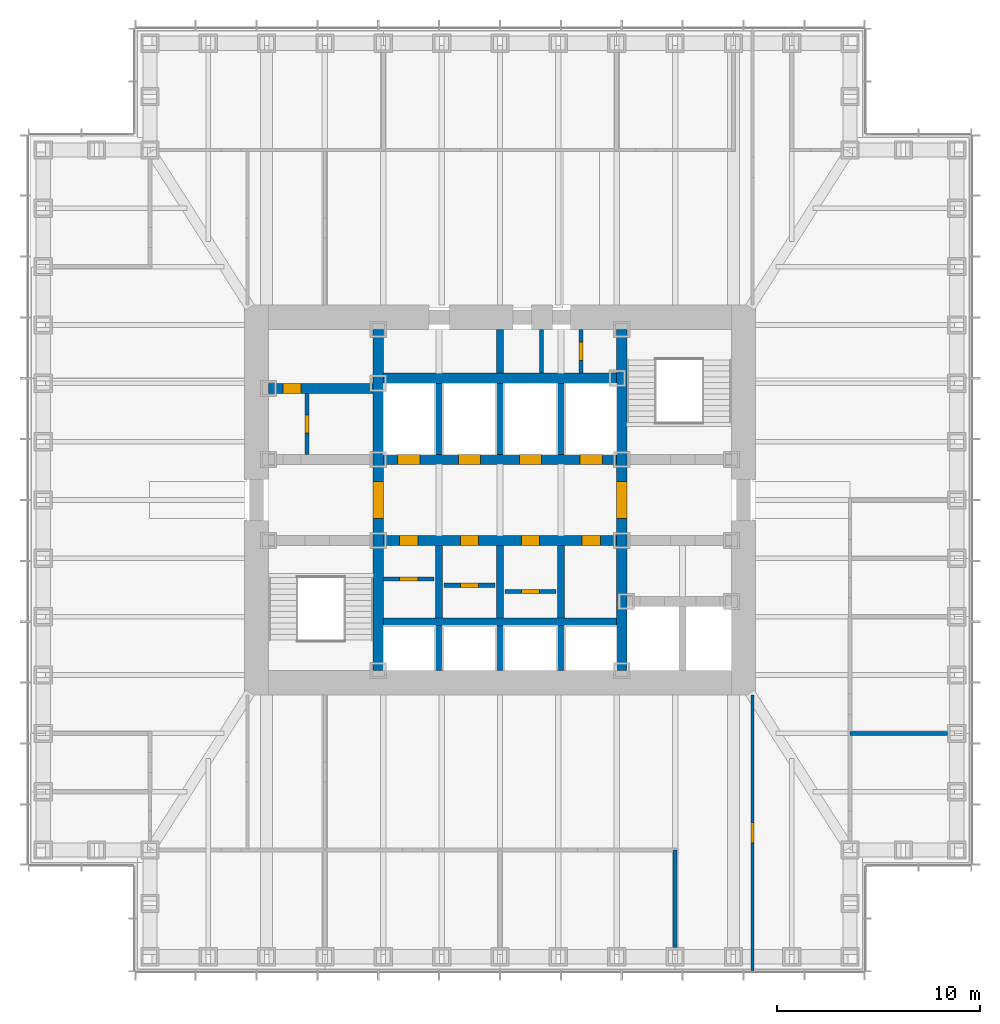
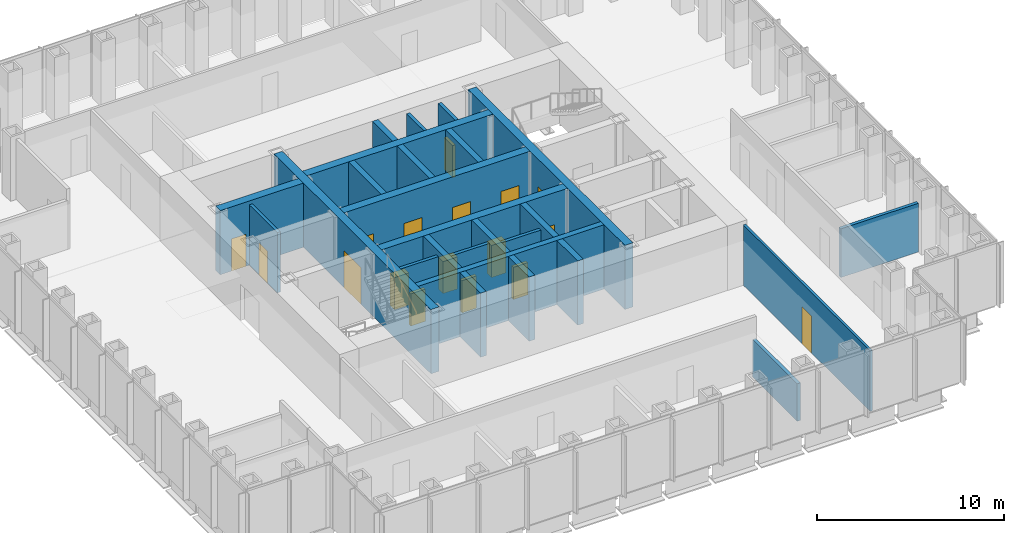
# One storey, part 9 of 17: 26 walls, 17 doors, 17 openings.
"""IFC4 building model written with IfcOpenShell, lengths in metres."""

from ifc_helpers import new_model, si_unit, direction, frame, frame_2d, origin, place, context, subcontext, project, spatial, rectangle, extrude, material, layer, layer_set, type_object, element, fill, save


model = new_model("IFC4")

# Units and contexts
model_context = context("Model", 3, precision=1e-05, world=origin(), true_north=direction((0.0, 1.0)))
body_context = subcontext(model_context, "Body", "Model", "MODEL_VIEW")
ifc_project = project(units=[si_unit("LENGTHUNIT", "METRE"), si_unit("AREAUNIT", "SQUARE_METRE"), si_unit("VOLUMEUNIT", "CUBIC_METRE"), si_unit("PLANEANGLEUNIT", "RADIAN"), si_unit("MASSUNIT", "GRAM", prefix="KILO")], contexts=[model_context])

# Site, building, storey
site_placement = place(None, origin())
site = spatial("IfcSite", under=ifc_project, at=site_placement, CompositionType="ELEMENT")
building_placement = place(site_placement, origin())
building = spatial("IfcBuilding", under=site, at=building_placement, Name="Daluyong Arena Tower", CompositionType="ELEMENT")
storey_placement = place(building_placement, frame((0.0, 0.0, 171.10009765625)))
storey = spatial("IfcBuildingStorey", under=building, at=storey_placement, Name="L38", CompositionType="ELEMENT", Elevation=171.10009765625)

# Wall, opening, door
ifc_material_1 = material(Name="Concrete fc' 45 MPa", Category="concrete")
ifc_layer_1 = layer(ifc_material_1, 0.5)
ifc_layer_set_1 = layer_set([ifc_layer_1], Name="Concrete fc' 45 MPa")
wall_type_1 = type_object("IfcWallType", Name="Core inner wall 500", PredefinedType="SHEAR", material=ifc_layer_set_1)
wall_1_placement = place(storey_placement, frame((50.0, 71.60009765625, 0.0), z_axis=(0.0, 0.0, 1.0), x_axis=(0.0, 1.0, 0.0)))
wall_1 = element("IfcWall", 1, at=wall_1_placement, inside=storey, type_object=wall_type_1, Name="core inner wall at L38", PredefinedType="SHEAR", context=body_context, shape_type="SweptSolid", body=[
    extrude(rectangle(XDim=16.7998046875, YDim=0.5, at=frame_2d((8.39990234375, 0.0))), origin(), (0.0, 0.0, 1.0), 4.199951171875),
])
opening_1_placement = place(wall_1_placement, frame((7.5, 0.0, 0.0)))
opening_1 = element("IfcOpeningElement", 2, at=opening_1_placement, cuts=wall_1, Name="Opening 38019", PredefinedType="OPENING", context=body_context, shape_type="SweptSolid", body=[
    extrude(rectangle(XDim=1.800048828125, YDim=2.39990234375, at=frame_2d((0.89990234375, 1.199951171875))), frame((0.0, 0.260009765625, 0.0), z_axis=(0.0, -1.0, 0.0), x_axis=(1.0, 0.0, 0.0)), (0.0, 0.0, 1.0), 0.52001953125),
])
ifc_material_2 = material(Name="Steel door, fire rated", Category="steel")
door_type_1 = type_object("IfcDoorType", Name="Lift lobby opening door 1800", OperationType="DOUBLE_DOOR_SINGLE_SWING", PredefinedType="DOOR", material=ifc_material_2)
door_1_placement = place(opening_1_placement, origin())
door_1 = element("IfcDoor", 3, at=door_1_placement, inside=storey, type_object=door_type_1, Name="lift lobby door west 38019", OperationType="DOUBLE_DOOR_SINGLE_SWING", OverallHeight=2.39990234375, OverallWidth=1.800048828125, PredefinedType="DOOR", context=body_context, shape_type="SweptSolid", body=[
    extrude(rectangle(XDim=1.800048828125, YDim=2.39990234375, at=frame_2d((0.89990234375, 1.199951171875))), frame((0.0, 0.249755859375, 0.0), z_axis=(0.0, -1.0, 0.0), x_axis=(1.0, 0.0, 0.0)), (0.0, 0.0, 1.0), 0.49951171875),
])
fill(opening_1, door_1)

wall_2_placement = place(storey_placement, frame((62.0, 71.60009765625, 0.0), z_axis=(0.0, 0.0, 1.0), x_axis=(0.0, 1.0, 0.0)))
wall_2 = element("IfcWall", 4, at=wall_2_placement, inside=storey, type_object=wall_type_1, Name="core inner wall at L38", PredefinedType="SHEAR", context=body_context, shape_type="SweptSolid", body=[
    extrude(rectangle(XDim=16.7998046875, YDim=0.5, at=frame_2d((8.39990234375, 0.0))), origin(), (0.0, 0.0, 1.0), 4.199951171875),
])
opening_2_placement = place(wall_2_placement, frame((7.5, 0.0, 0.0)))
opening_2 = element("IfcOpeningElement", 5, at=opening_2_placement, cuts=wall_2, Name="Opening 38020", PredefinedType="OPENING", context=body_context, shape_type="SweptSolid", body=[
    extrude(rectangle(XDim=1.800048828125, YDim=2.39990234375, at=frame_2d((0.89990234375, 1.199951171875))), frame((0.0, 0.260009765625, 0.0), z_axis=(0.0, -1.0, 0.0), x_axis=(1.0, 0.0, 0.0)), (0.0, 0.0, 1.0), 0.52001953125),
])
door_2_placement = place(opening_2_placement, origin())
door_2 = element("IfcDoor", 6, at=door_2_placement, inside=storey, type_object=door_type_1, Name="lift lobby door east 38020", OperationType="DOUBLE_DOOR_SINGLE_SWING", OverallHeight=2.39990234375, OverallWidth=1.800048828125, PredefinedType="DOOR", context=body_context, shape_type="SweptSolid", body=[
    extrude(rectangle(XDim=1.800048828125, YDim=2.39990234375, at=frame_2d((0.89990234375, 1.199951171875))), frame((0.0, 0.249755859375, 0.0), z_axis=(0.0, -1.0, 0.0), x_axis=(1.0, 0.0, 0.0)), (0.0, 0.0, 1.0), 0.49951171875),
])
fill(opening_2, door_2)

wall_3_placement = place(storey_placement, frame((44.60009765625, 85.5, 0.0), z_axis=(0.0, 0.0, 1.0), x_axis=(1.0, 0.0, 0.0)))
wall_3 = element("IfcWall", 7, at=wall_3_placement, inside=storey, type_object=wall_type_1, Name="core inner wall at L38", PredefinedType="SHEAR", context=body_context, shape_type="SweptSolid", body=[
    extrude(rectangle(XDim=5.14990234375, YDim=0.5, at=frame_2d((2.574951171875, 0.0))), origin(), (0.0, 0.0, 1.0), 4.199951171875),
])
opening_3_placement = place(wall_3_placement, frame((0.699951171875, 0.0, 0.0)))
opening_3 = element("IfcOpeningElement", 8, at=opening_3_placement, cuts=wall_3, Name="Opening 38003", PredefinedType="OPENING", context=body_context, shape_type="SweptSolid", body=[
    extrude(rectangle(XDim=0.89990234375, YDim=2.10009765625, at=frame_2d((0.449951171875, 1.050048828125))), frame((0.0, 0.260009765625, 0.0), z_axis=(0.0, -1.0, 0.0), x_axis=(1.0, 0.0, 0.0)), (0.0, 0.0, 1.0), 0.52001953125),
])
ifc_material_3 = material(Name="Timber door", Category="wood")
door_type_2 = type_object("IfcDoorType", Name="Toilet door 900", OperationType="SINGLE_SWING_RIGHT", PredefinedType="DOOR", material=ifc_material_3)
door_3_placement = place(opening_3_placement, origin())
door_3 = element("IfcDoor", 9, at=door_3_placement, inside=storey, type_object=door_type_2, Name="female toilet door 38003", OperationType="SINGLE_SWING_RIGHT", OverallHeight=2.10009765625, OverallWidth=0.89990234375, PredefinedType="DOOR", context=body_context, shape_type="SweptSolid", body=[
    extrude(rectangle(XDim=0.89990234375, YDim=2.10009765625, at=frame_2d((0.449951171875, 1.050048828125))), frame((0.0, 0.249755859375, 0.0), z_axis=(0.0, -1.0, 0.0), x_axis=(1.0, 0.0, 0.0)), (0.0, 0.0, 1.0), 0.49951171875),
])
fill(opening_3, door_3)

# Wall, openings, doors
wall_4_placement = place(storey_placement, frame((50.25, 78.0, 0.0), z_axis=(0.0, 0.0, 1.0), x_axis=(1.0, 0.0, 0.0)))
wall_4 = element("IfcWall", 10, at=wall_4_placement, inside=storey, type_object=wall_type_1, Name="core inner wall at L38", PredefinedType="SHEAR", context=body_context, shape_type="SweptSolid", body=[
    extrude(rectangle(XDim=11.5, YDim=0.5, at=frame_2d((5.75, 0.0))), origin(), (0.0, 0.0, 1.0), 4.199951171875),
])
opening_4_placement = place(wall_4_placement, frame((0.800048828125, 0.0, 0.0)))
opening_4 = element("IfcOpeningElement", 11, at=opening_4_placement, cuts=wall_4, Name="Opening 38008", PredefinedType="OPENING", context=body_context, shape_type="SweptSolid", body=[
    extrude(rectangle(XDim=0.89990234375, YDim=2.10009765625, at=frame_2d((0.449951171875, 1.050048828125))), frame((0.0, 0.260009765625, 0.0), z_axis=(0.0, -1.0, 0.0), x_axis=(1.0, 0.0, 0.0)), (0.0, 0.0, 1.0), 0.52001953125),
])
opening_5_placement = place(wall_4_placement, frame((3.800048828125, 0.0, 0.0)))
opening_5 = element("IfcOpeningElement", 12, at=opening_5_placement, cuts=wall_4, Name="Opening 38010", PredefinedType="OPENING", context=body_context, shape_type="SweptSolid", body=[
    extrude(rectangle(XDim=0.89990234375, YDim=2.10009765625, at=frame_2d((0.449951171875, 1.050048828125))), frame((0.0, 0.260009765625, 0.0), z_axis=(0.0, -1.0, 0.0), x_axis=(1.0, 0.0, 0.0)), (0.0, 0.0, 1.0), 0.52001953125),
])
opening_6_placement = place(wall_4_placement, frame((6.800048828125, 0.0, 0.0)))
opening_6 = element("IfcOpeningElement", 13, at=opening_6_placement, cuts=wall_4, Name="Opening 38012", PredefinedType="OPENING", context=body_context, shape_type="SweptSolid", body=[
    extrude(rectangle(XDim=0.89990234375, YDim=2.10009765625, at=frame_2d((0.449951171875, 1.050048828125))), frame((0.0, 0.260009765625, 0.0), z_axis=(0.0, -1.0, 0.0), x_axis=(1.0, 0.0, 0.0)), (0.0, 0.0, 1.0), 0.52001953125),
])
opening_7_placement = place(wall_4_placement, frame((9.800048828125, 0.0, 0.0)))
opening_7 = element("IfcOpeningElement", 14, at=opening_7_placement, cuts=wall_4, Name="Opening 38014", PredefinedType="OPENING", context=body_context, shape_type="SweptSolid", body=[
    extrude(rectangle(XDim=0.89990234375, YDim=2.10009765625, at=frame_2d((0.449951171875, 1.050048828125))), frame((0.0, 0.260009765625, 0.0), z_axis=(0.0, -1.0, 0.0), x_axis=(1.0, 0.0, 0.0)), (0.0, 0.0, 1.0), 0.52001953125),
])
ifc_material_4 = material(Name="Steel door, fire rated", Category="steel")
door_type_3 = type_object("IfcDoorType", Name="Core room door 900", OperationType="SINGLE_SWING_LEFT", PredefinedType="DOOR", material=ifc_material_4)
door_4_placement = place(opening_7_placement, origin())
door_4 = element("IfcDoor", 15, at=door_4_placement, inside=storey, type_object=door_type_3, Name="vending room door 38014", OperationType="SINGLE_SWING_LEFT", OverallHeight=2.10009765625, OverallWidth=0.89990234375, PredefinedType="DOOR", context=body_context, shape_type="SweptSolid", body=[
    extrude(rectangle(XDim=0.89990234375, YDim=2.10009765625, at=frame_2d((0.449951171875, 1.050048828125))), frame((0.0, 0.249755859375, 0.0), z_axis=(0.0, -1.0, 0.0), x_axis=(1.0, 0.0, 0.0)), (0.0, 0.0, 1.0), 0.49951171875),
])
fill(opening_7, door_4)
ifc_material_5 = material(Name="Steel door, fire rated", Category="steel")
door_type_4 = type_object("IfcDoorType", Name="Core store door 900", OperationType="SINGLE_SWING_LEFT", PredefinedType="DOOR", material=ifc_material_5)
door_5_placement = place(opening_4_placement, origin())
door_5 = element("IfcDoor", 16, at=door_5_placement, inside=storey, type_object=door_type_4, Name="furniture store door 38008", OperationType="SINGLE_SWING_LEFT", OverallHeight=2.10009765625, OverallWidth=0.89990234375, PredefinedType="DOOR", context=body_context, shape_type="SweptSolid", body=[
    extrude(rectangle(XDim=0.89990234375, YDim=2.10009765625, at=frame_2d((0.449951171875, 1.050048828125))), frame((0.0, 0.249755859375, 0.0), z_axis=(0.0, -1.0, 0.0), x_axis=(1.0, 0.0, 0.0)), (0.0, 0.0, 1.0), 0.49951171875),
])
fill(opening_4, door_5)
door_6_placement = place(opening_5_placement, origin())
door_6 = element("IfcDoor", 17, at=door_6_placement, inside=storey, type_object=door_type_4, Name="security store door 38010", OperationType="SINGLE_SWING_LEFT", OverallHeight=2.10009765625, OverallWidth=0.89990234375, PredefinedType="DOOR", context=body_context, shape_type="SweptSolid", body=[
    extrude(rectangle(XDim=0.89990234375, YDim=2.10009765625, at=frame_2d((0.449951171875, 1.050048828125))), frame((0.0, 0.249755859375, 0.0), z_axis=(0.0, -1.0, 0.0), x_axis=(1.0, 0.0, 0.0)), (0.0, 0.0, 1.0), 0.49951171875),
])
fill(opening_5, door_6)
door_7_placement = place(opening_6_placement, origin())
door_7 = element("IfcDoor", 18, at=door_7_placement, inside=storey, type_object=door_type_4, Name="cleaner's store door 38012", OperationType="SINGLE_SWING_LEFT", OverallHeight=2.10009765625, OverallWidth=0.89990234375, PredefinedType="DOOR", context=body_context, shape_type="SweptSolid", body=[
    extrude(rectangle(XDim=0.89990234375, YDim=2.10009765625, at=frame_2d((0.449951171875, 1.050048828125))), frame((0.0, 0.249755859375, 0.0), z_axis=(0.0, -1.0, 0.0), x_axis=(1.0, 0.0, 0.0)), (0.0, 0.0, 1.0), 0.49951171875),
])
fill(opening_6, door_7)

wall_5_placement = place(storey_placement, frame((50.25, 82.0, 0.0), z_axis=(0.0, 0.0, 1.0), x_axis=(1.0, 0.0, 0.0)))
wall_5 = element("IfcWall", 19, at=wall_5_placement, inside=storey, type_object=wall_type_1, Name="core inner wall at L38", PredefinedType="SHEAR", context=body_context, shape_type="SweptSolid", body=[
    extrude(rectangle(XDim=11.5, YDim=0.5, at=frame_2d((5.75, 0.0))), origin(), (0.0, 0.0, 1.0), 4.199951171875),
])
opening_8_placement = place(wall_5_placement, frame((0.699951171875, 0.0, 0.0)))
opening_8 = element("IfcOpeningElement", 20, at=opening_8_placement, cuts=wall_5, Name="Opening 38022", PredefinedType="OPENING", context=body_context, shape_type="SweptSolid", body=[
    extrude(rectangle(XDim=1.10009765625, YDim=2.199951171875, at=frame_2d((0.550048828125, 1.10009765625))), frame((0.0, 0.260009765625, 0.0), z_axis=(0.0, -1.0, 0.0), x_axis=(1.0, 0.0, 0.0)), (0.0, 0.0, 1.0), 0.52001953125),
])
opening_9_placement = place(wall_5_placement, frame((3.699951171875, 0.0, 0.0)))
opening_9 = element("IfcOpeningElement", 21, at=opening_9_placement, cuts=wall_5, Name="Opening 38023", PredefinedType="OPENING", context=body_context, shape_type="SweptSolid", body=[
    extrude(rectangle(XDim=1.10009765625, YDim=2.199951171875, at=frame_2d((0.550048828125, 1.10009765625))), frame((0.0, 0.260009765625, 0.0), z_axis=(0.0, -1.0, 0.0), x_axis=(1.0, 0.0, 0.0)), (0.0, 0.0, 1.0), 0.52001953125),
])
opening_10_placement = place(wall_5_placement, frame((6.699951171875, 0.0, 0.0)))
opening_10 = element("IfcOpeningElement", 22, at=opening_10_placement, cuts=wall_5, Name="Opening 38024", PredefinedType="OPENING", context=body_context, shape_type="SweptSolid", body=[
    extrude(rectangle(XDim=1.10009765625, YDim=2.199951171875, at=frame_2d((0.550048828125, 1.10009765625))), frame((0.0, 0.260009765625, 0.0), z_axis=(0.0, -1.0, 0.0), x_axis=(1.0, 0.0, 0.0)), (0.0, 0.0, 1.0), 0.52001953125),
])
opening_11_placement = place(wall_5_placement, frame((9.699951171875, 0.0, 0.0)))
opening_11 = element("IfcOpeningElement", 23, at=opening_11_placement, cuts=wall_5, Name="Opening 38025", PredefinedType="OPENING", context=body_context, shape_type="SweptSolid", body=[
    extrude(rectangle(XDim=1.10009765625, YDim=2.199951171875, at=frame_2d((0.550048828125, 1.10009765625))), frame((0.0, 0.260009765625, 0.0), z_axis=(0.0, -1.0, 0.0), x_axis=(1.0, 0.0, 0.0)), (0.0, 0.0, 1.0), 0.52001953125),
])
ifc_material_6 = material(Name="Steel door, fire rated", Category="steel")
door_type_5 = type_object("IfcDoorType", Name="Lift landing door 1100", OperationType="SLIDING_TO_LEFT", PredefinedType="DOOR", material=ifc_material_6)
door_8_placement = place(opening_8_placement, origin())
door_8 = element("IfcDoor", 24, at=door_8_placement, inside=storey, type_object=door_type_5, Name="lift landing door B1 38022", OperationType="SLIDING_TO_LEFT", OverallHeight=2.199951171875, OverallWidth=1.10009765625, PredefinedType="DOOR", context=body_context, shape_type="SweptSolid", body=[
    extrude(rectangle(XDim=1.10009765625, YDim=2.199951171875, at=frame_2d((0.550048828125, 1.10009765625))), frame((0.0, 0.249755859375, 0.0), z_axis=(0.0, -1.0, 0.0), x_axis=(1.0, 0.0, 0.0)), (0.0, 0.0, 1.0), 0.49951171875),
])
fill(opening_8, door_8)
door_9_placement = place(opening_9_placement, origin())
door_9 = element("IfcDoor", 25, at=door_9_placement, inside=storey, type_object=door_type_5, Name="lift landing door B2 38023", OperationType="SLIDING_TO_LEFT", OverallHeight=2.199951171875, OverallWidth=1.10009765625, PredefinedType="DOOR", context=body_context, shape_type="SweptSolid", body=[
    extrude(rectangle(XDim=1.10009765625, YDim=2.199951171875, at=frame_2d((0.550048828125, 1.10009765625))), frame((0.0, 0.249755859375, 0.0), z_axis=(0.0, -1.0, 0.0), x_axis=(1.0, 0.0, 0.0)), (0.0, 0.0, 1.0), 0.49951171875),
])
fill(opening_9, door_9)
door_10_placement = place(opening_10_placement, origin())
door_10 = element("IfcDoor", 26, at=door_10_placement, inside=storey, type_object=door_type_5, Name="lift landing door B3 38024", OperationType="SLIDING_TO_LEFT", OverallHeight=2.199951171875, OverallWidth=1.10009765625, PredefinedType="DOOR", context=body_context, shape_type="SweptSolid", body=[
    extrude(rectangle(XDim=1.10009765625, YDim=2.199951171875, at=frame_2d((0.550048828125, 1.10009765625))), frame((0.0, 0.249755859375, 0.0), z_axis=(0.0, -1.0, 0.0), x_axis=(1.0, 0.0, 0.0)), (0.0, 0.0, 1.0), 0.49951171875),
])
fill(opening_10, door_10)
door_11_placement = place(opening_11_placement, origin())
door_11 = element("IfcDoor", 27, at=door_11_placement, inside=storey, type_object=door_type_5, Name="lift landing door B4 38025", OperationType="SLIDING_TO_LEFT", OverallHeight=2.199951171875, OverallWidth=1.10009765625, PredefinedType="DOOR", context=body_context, shape_type="SweptSolid", body=[
    extrude(rectangle(XDim=1.10009765625, YDim=2.199951171875, at=frame_2d((0.550048828125, 1.10009765625))), frame((0.0, 0.249755859375, 0.0), z_axis=(0.0, -1.0, 0.0), x_axis=(1.0, 0.0, 0.0)), (0.0, 0.0, 1.0), 0.49951171875),
])
fill(opening_11, door_11)

# Wall
wall_6_placement = place(storey_placement, frame((50.25, 86.0, 0.0), z_axis=(0.0, 0.0, 1.0), x_axis=(1.0, 0.0, 0.0)))
element("IfcWall", 28, at=wall_6_placement, inside=storey, type_object=wall_type_1, Name="core inner wall at L38", PredefinedType="SHEAR", context=body_context, shape_type="SweptSolid", body=[
    extrude(rectangle(XDim=11.5, YDim=0.5, at=frame_2d((5.75, 0.0))), origin(), (0.0, 0.0, 1.0), 4.199951171875),
])

# Wall, opening, door
ifc_material_7 = material(Name="Concrete block partition, fire rated", Category="concrete")
ifc_layer_2 = layer(ifc_material_7, 0.199951171875)
ifc_layer_set_2 = layer_set([ifc_layer_2], Name="Concrete block partition, fire rated")
wall_type_2 = type_object("IfcWallType", Name="Fire-rated partition 200", PredefinedType="PARTITIONING", material=ifc_layer_set_2)
wall_7_placement = place(storey_placement, frame((46.5, 82.25, 0.0), z_axis=(0.0, 0.0, 1.0), x_axis=(0.0, 1.0, 0.0)))
wall_7 = element("IfcWall", 29, at=wall_7_placement, inside=storey, type_object=wall_type_2, Name="toilet lobby partition at L38", PredefinedType="PARTITIONING", context=body_context, shape_type="SweptSolid", body=[
    extrude(rectangle(XDim=3.0, YDim=0.199951171875, at=frame_2d((1.5, 0.0))), origin(), (0.0, 0.0, 1.0), 3.949951171875),
])
opening_12_placement = place(wall_7_placement, frame((1.050048828125, 0.0, 0.0)))
opening_12 = element("IfcOpeningElement", 30, at=opening_12_placement, cuts=wall_7, Name="Opening 38002", PredefinedType="OPENING", context=body_context, shape_type="SweptSolid", body=[
    extrude(rectangle(XDim=0.89990234375, YDim=2.10009765625, at=frame_2d((0.449951171875, 1.050048828125))), frame((0.0, 0.10986328125, 0.0), z_axis=(0.0, -1.0, 0.0), x_axis=(1.0, 0.0, 0.0)), (0.0, 0.0, 1.0), 0.219970703125),
])
door_12_placement = place(opening_12_placement, origin())
door_12 = element("IfcDoor", 31, at=door_12_placement, inside=storey, type_object=door_type_2, Name="male toilet door 38002", OperationType="SINGLE_SWING_RIGHT", OverallHeight=2.10009765625, OverallWidth=0.89990234375, PredefinedType="DOOR", context=body_context, shape_type="SweptSolid", body=[
    extrude(rectangle(XDim=0.89990234375, YDim=2.10009765625, at=frame_2d((0.449951171875, 1.050048828125))), frame((0.0, 0.099609375, 0.0), z_axis=(0.0, -1.0, 0.0), x_axis=(1.0, 0.0, 0.0)), (0.0, 0.0, 1.0), 0.199462890625),
])
fill(opening_12, door_12)

wall_8_placement = place(storey_placement, frame((60.0, 86.25, 0.0), z_axis=(0.0, 0.0, 1.0), x_axis=(0.0, 1.0, 0.0)))
wall_8 = element("IfcWall", 32, at=wall_8_placement, inside=storey, type_object=wall_type_2, Name="electrical riser enclosure at L38", PredefinedType="PARTITIONING", context=body_context, shape_type="SweptSolid", body=[
    extrude(rectangle(XDim=2.14990234375, YDim=0.199951171875, at=frame_2d((1.074951171875, 0.0))), origin(), (0.0, 0.0, 1.0), 3.949951171875),
])
opening_13_placement = place(wall_8_placement, frame((0.625, 0.0, 0.0)))
opening_13 = element("IfcOpeningElement", 33, at=opening_13_placement, cuts=wall_8, Name="Opening 38007", PredefinedType="OPENING", context=body_context, shape_type="SweptSolid", body=[
    extrude(rectangle(XDim=0.89990234375, YDim=2.10009765625, at=frame_2d((0.449951171875, 1.050048828125))), frame((0.0, 0.10986328125, 0.0), z_axis=(0.0, -1.0, 0.0), x_axis=(1.0, 0.0, 0.0)), (0.0, 0.0, 1.0), 0.219970703125),
])
ifc_material_8 = material(Name="Steel door, fire rated", Category="steel")
door_type_6 = type_object("IfcDoorType", Name="Riser door 900", OperationType="SINGLE_SWING_LEFT", PredefinedType="DOOR", material=ifc_material_8)
door_13_placement = place(opening_13_placement, origin())
door_13 = element("IfcDoor", 34, at=door_13_placement, inside=storey, type_object=door_type_6, Name="riser door 38007", OperationType="SINGLE_SWING_LEFT", OverallHeight=2.10009765625, OverallWidth=0.89990234375, PredefinedType="DOOR", context=body_context, shape_type="SweptSolid", body=[
    extrude(rectangle(XDim=0.89990234375, YDim=2.10009765625, at=frame_2d((0.449951171875, 1.050048828125))), frame((0.0, 0.099609375, 0.0), z_axis=(0.0, -1.0, 0.0), x_axis=(1.0, 0.0, 0.0)), (0.0, 0.0, 1.0), 0.199462890625),
])
fill(opening_13, door_13)

# Wall
wall_9_placement = place(storey_placement, frame((58.050048828125, 86.25, 0.0), z_axis=(0.0, 0.0, 1.0), x_axis=(0.0, 1.0, 0.0)))
element("IfcWall", 35, at=wall_9_placement, inside=storey, type_object=wall_type_2, Name="core room partition at L38", PredefinedType="PARTITIONING", context=body_context, shape_type="SweptSolid", body=[
    extrude(rectangle(XDim=2.14990234375, YDim=0.199951171875, at=frame_2d((1.074951171875, 0.0))), origin(), (0.0, 0.0, 1.0), 3.949951171875),
])

# Wall, opening, door
wall_10_placement = place(storey_placement, frame((50.25, 76.10009765625, 0.0), z_axis=(0.0, 0.0, 1.0), x_axis=(1.0, 0.0, 0.0)))
wall_10 = element("IfcWall", 36, at=wall_10_placement, inside=storey, type_object=wall_type_2, Name="back store partition at L38", PredefinedType="PARTITIONING", context=body_context, shape_type="SweptSolid", body=[
    extrude(rectangle(XDim=2.5, YDim=0.199951171875, at=frame_2d((1.25, 0.0))), origin(), (0.0, 0.0, 1.0), 3.949951171875),
])
opening_14_placement = place(wall_10_placement, frame((0.800048828125, 0.0, 0.0)))
opening_14 = element("IfcOpeningElement", 37, at=opening_14_placement, cuts=wall_10, Name="Opening 38009", PredefinedType="OPENING", context=body_context, shape_type="SweptSolid", body=[
    extrude(rectangle(XDim=0.89990234375, YDim=2.10009765625, at=frame_2d((0.449951171875, 1.050048828125))), frame((0.0, 0.10986328125, 0.0), z_axis=(0.0, -1.0, 0.0), x_axis=(1.0, 0.0, 0.0)), (0.0, 0.0, 1.0), 0.219970703125),
])
door_14_placement = place(opening_14_placement, origin())
door_14 = element("IfcDoor", 38, at=door_14_placement, inside=storey, type_object=door_type_4, Name="stationery store door 38009", OperationType="SINGLE_SWING_LEFT", OverallHeight=2.10009765625, OverallWidth=0.89990234375, PredefinedType="DOOR", context=body_context, shape_type="SweptSolid", body=[
    extrude(rectangle(XDim=0.89990234375, YDim=2.10009765625, at=frame_2d((0.449951171875, 1.050048828125))), frame((0.0, 0.099609375, 0.0), z_axis=(0.0, -1.0, 0.0), x_axis=(1.0, 0.0, 0.0)), (0.0, 0.0, 1.0), 0.199462890625),
])
fill(opening_14, door_14)

wall_11_placement = place(storey_placement, frame((53.25, 75.800048828125, 0.0), z_axis=(0.0, 0.0, 1.0), x_axis=(1.0, 0.0, 0.0)))
wall_11 = element("IfcWall", 39, at=wall_11_placement, inside=storey, type_object=wall_type_2, Name="back store partition at L38", PredefinedType="PARTITIONING", context=body_context, shape_type="SweptSolid", body=[
    extrude(rectangle(XDim=2.5, YDim=0.199951171875, at=frame_2d((1.25, 0.0))), origin(), (0.0, 0.0, 1.0), 3.949951171875),
])
opening_15_placement = place(wall_11_placement, frame((0.800048828125, 0.0, 0.0)))
opening_15 = element("IfcOpeningElement", 40, at=opening_15_placement, cuts=wall_11, Name="Opening 38011", PredefinedType="OPENING", context=body_context, shape_type="SweptSolid", body=[
    extrude(rectangle(XDim=0.89990234375, YDim=2.10009765625, at=frame_2d((0.449951171875, 1.050048828125))), frame((0.0, 0.10986328125, 0.0), z_axis=(0.0, -1.0, 0.0), x_axis=(1.0, 0.0, 0.0)), (0.0, 0.0, 1.0), 0.219970703125),
])
door_15_placement = place(opening_15_placement, origin())
door_15 = element("IfcDoor", 41, at=door_15_placement, inside=storey, type_object=door_type_4, Name="tenant store door 38011", OperationType="SINGLE_SWING_LEFT", OverallHeight=2.10009765625, OverallWidth=0.89990234375, PredefinedType="DOOR", context=body_context, shape_type="SweptSolid", body=[
    extrude(rectangle(XDim=0.89990234375, YDim=2.10009765625, at=frame_2d((0.449951171875, 1.050048828125))), frame((0.0, 0.099609375, 0.0), z_axis=(0.0, -1.0, 0.0), x_axis=(1.0, 0.0, 0.0)), (0.0, 0.0, 1.0), 0.199462890625),
])
fill(opening_15, door_15)

wall_12_placement = place(storey_placement, frame((56.25, 75.5, 0.0), z_axis=(0.0, 0.0, 1.0), x_axis=(1.0, 0.0, 0.0)))
wall_12 = element("IfcWall", 42, at=wall_12_placement, inside=storey, type_object=wall_type_2, Name="back store partition at L38", PredefinedType="PARTITIONING", context=body_context, shape_type="SweptSolid", body=[
    extrude(rectangle(XDim=2.5, YDim=0.199951171875, at=frame_2d((1.25, 0.0))), origin(), (0.0, 0.0, 1.0), 3.949951171875),
])
opening_16_placement = place(wall_12_placement, frame((0.800048828125, 0.0, 0.0)))
opening_16 = element("IfcOpeningElement", 43, at=opening_16_placement, cuts=wall_12, Name="Opening 38013", PredefinedType="OPENING", context=body_context, shape_type="SweptSolid", body=[
    extrude(rectangle(XDim=0.89990234375, YDim=2.10009765625, at=frame_2d((0.449951171875, 1.050048828125))), frame((0.0, 0.10986328125, 0.0), z_axis=(0.0, -1.0, 0.0), x_axis=(1.0, 0.0, 0.0)), (0.0, 0.0, 1.0), 0.219970703125),
])
door_16_placement = place(opening_16_placement, origin())
door_16 = element("IfcDoor", 44, at=door_16_placement, inside=storey, type_object=door_type_4, Name="archive store door 38013", OperationType="SINGLE_SWING_LEFT", OverallHeight=2.10009765625, OverallWidth=0.89990234375, PredefinedType="DOOR", context=body_context, shape_type="SweptSolid", body=[
    extrude(rectangle(XDim=0.89990234375, YDim=2.10009765625, at=frame_2d((0.449951171875, 1.050048828125))), frame((0.0, 0.099609375, 0.0), z_axis=(0.0, -1.0, 0.0), x_axis=(1.0, 0.0, 0.0)), (0.0, 0.0, 1.0), 0.199462890625),
])
fill(opening_16, door_16)

ifc_material_9 = material(Name="Glazed aluminium partition", Category="aluminium")
ifc_layer_3 = layer(ifc_material_9, 0.14990234375)
ifc_layer_set_3 = layer_set([ifc_layer_3], Name="Glazed aluminium partition")
wall_type_3 = type_object("IfcWallType", Name="Glazed partition 150", PredefinedType="PARTITIONING", material=ifc_layer_set_3)
wall_13_placement = place(storey_placement, frame((68.449951171875, 56.81005859375, 0.0), z_axis=(0.0, 0.0, 1.0), x_axis=(0.0, 1.0, 0.0)))
wall_13 = element("IfcWall", 45, at=wall_13_placement, inside=storey, type_object=wall_type_3, Name="glazed partition at L38", PredefinedType="PARTITIONING", context=body_context, shape_type="SweptSolid", body=[
    extrude(rectangle(XDim=13.58984375, YDim=0.14990234375, at=frame_2d((6.794921875, 0.0))), origin(), (0.0, 0.0, 1.0), 3.949951171875),
])
opening_17_placement = place(wall_13_placement, frame((6.294921875, 0.0, 0.0)))
opening_17 = element("IfcOpeningElement", 46, at=opening_17_placement, cuts=wall_13, Name="Opening 38043", PredefinedType="OPENING", context=body_context, shape_type="SweptSolid", body=[
    extrude(rectangle(XDim=1.0, YDim=2.39990234375, at=frame_2d((0.5, 1.199951171875))), frame((0.0, 0.0849609375, 0.0), z_axis=(0.0, -1.0, 0.0), x_axis=(1.0, 0.0, 0.0)), (0.0, 0.0, 1.0), 0.169921875),
])
ifc_material_10 = material(Name="Glazed aluminium door", Category="aluminium")
door_type_7 = type_object("IfcDoorType", Name="Meeting room glazed door 1000", OperationType="SINGLE_SWING_RIGHT", PredefinedType="DOOR", material=ifc_material_10)
door_17_placement = place(opening_17_placement, origin())
door_17 = element("IfcDoor", 47, at=door_17_placement, inside=storey, type_object=door_type_7, Name="team area screen door 38043", OperationType="SINGLE_SWING_RIGHT", OverallHeight=2.39990234375, OverallWidth=1.0, PredefinedType="DOOR", context=body_context, shape_type="SweptSolid", body=[
    extrude(rectangle(XDim=1.0, YDim=2.39990234375, at=frame_2d((0.5, 1.199951171875))), frame((0.0, 0.07470703125, 0.0), z_axis=(0.0, -1.0, 0.0), x_axis=(1.0, 0.0, 0.0)), (0.0, 0.0, 1.0), 0.1494140625),
])
fill(opening_17, door_17)

# Walls
ifc_material_11 = material(Name="Concrete fc' 45 MPa", Category="concrete")
ifc_layer_4 = layer(ifc_material_11, 0.35009765625)
ifc_layer_set_4 = layer_set([ifc_layer_4], Name="Concrete fc' 45 MPa")
wall_type_4 = type_object("IfcWallType", Name="Lift shaft wall 350", PredefinedType="SHEAR", material=ifc_layer_set_4)
wall_14_placement = place(storey_placement, frame((50.25, 74.0, 0.0), z_axis=(0.0, 0.0, 1.0), x_axis=(1.0, 0.0, 0.0)))
element("IfcWall", 48, at=wall_14_placement, inside=storey, type_object=wall_type_4, Name="lift shaft wall at L38", PredefinedType="SHEAR", context=body_context, shape_type="SweptSolid", body=[
    extrude(rectangle(XDim=11.5, YDim=0.35009765625, at=frame_2d((5.75, 0.0))), origin(), (0.0, 0.0, 1.0), 4.199951171875),
])
wall_15_placement = place(storey_placement, frame((53.0, 71.60009765625, 0.0), z_axis=(0.0, 0.0, 1.0), x_axis=(0.0, 1.0, 0.0)))
element("IfcWall", 49, at=wall_15_placement, inside=storey, type_object=wall_type_4, Name="lift shaft wall at L38", PredefinedType="SHEAR", context=body_context, shape_type="SweptSolid", body=[
    extrude(rectangle(XDim=2.224853515625, YDim=0.35009765625, at=frame_2d((1.1123046875, 0.0))), origin(), (0.0, 0.0, 1.0), 4.199951171875),
])
wall_16_placement = place(storey_placement, frame((53.0, 74.175048828125, 0.0), z_axis=(0.0, 0.0, 1.0), x_axis=(0.0, 1.0, 0.0)))
element("IfcWall", 50, at=wall_16_placement, inside=storey, type_object=wall_type_4, Name="lift shaft wall at L38", PredefinedType="SHEAR", context=body_context, shape_type="SweptSolid", body=[
    extrude(rectangle(XDim=3.574951171875, YDim=0.35009765625, at=frame_2d((1.78759765625, 0.0))), origin(), (0.0, 0.0, 1.0), 4.199951171875),
])
wall_17_placement = place(storey_placement, frame((53.0, 82.25, 0.0), z_axis=(0.0, 0.0, 1.0), x_axis=(0.0, 1.0, 0.0)))
element("IfcWall", 51, at=wall_17_placement, inside=storey, type_object=wall_type_4, Name="lift shaft wall at L38", PredefinedType="SHEAR", context=body_context, shape_type="SweptSolid", body=[
    extrude(rectangle(XDim=3.5, YDim=0.35009765625, at=frame_2d((1.75, 0.0))), origin(), (0.0, 0.0, 1.0), 4.199951171875),
])
wall_18_placement = place(storey_placement, frame((56.0, 71.60009765625, 0.0), z_axis=(0.0, 0.0, 1.0), x_axis=(0.0, 1.0, 0.0)))
element("IfcWall", 52, at=wall_18_placement, inside=storey, type_object=wall_type_4, Name="lift shaft wall at L38", PredefinedType="SHEAR", context=body_context, shape_type="SweptSolid", body=[
    extrude(rectangle(XDim=2.224853515625, YDim=0.35009765625, at=frame_2d((1.1123046875, 0.0))), origin(), (0.0, 0.0, 1.0), 4.199951171875),
])
wall_19_placement = place(storey_placement, frame((56.0, 74.175048828125, 0.0), z_axis=(0.0, 0.0, 1.0), x_axis=(0.0, 1.0, 0.0)))
element("IfcWall", 53, at=wall_19_placement, inside=storey, type_object=wall_type_4, Name="lift shaft wall at L38", PredefinedType="SHEAR", context=body_context, shape_type="SweptSolid", body=[
    extrude(rectangle(XDim=3.574951171875, YDim=0.35009765625, at=frame_2d((1.78759765625, 0.0))), origin(), (0.0, 0.0, 1.0), 4.199951171875),
])
wall_20_placement = place(storey_placement, frame((56.0, 82.25, 0.0), z_axis=(0.0, 0.0, 1.0), x_axis=(0.0, 1.0, 0.0)))
element("IfcWall", 54, at=wall_20_placement, inside=storey, type_object=wall_type_4, Name="lift shaft wall at L38", PredefinedType="SHEAR", context=body_context, shape_type="SweptSolid", body=[
    extrude(rectangle(XDim=3.5, YDim=0.35009765625, at=frame_2d((1.75, 0.0))), origin(), (0.0, 0.0, 1.0), 4.199951171875),
])
wall_21_placement = place(storey_placement, frame((59.0, 71.60009765625, 0.0), z_axis=(0.0, 0.0, 1.0), x_axis=(0.0, 1.0, 0.0)))
element("IfcWall", 55, at=wall_21_placement, inside=storey, type_object=wall_type_4, Name="lift shaft wall at L38", PredefinedType="SHEAR", context=body_context, shape_type="SweptSolid", body=[
    extrude(rectangle(XDim=2.224853515625, YDim=0.35009765625, at=frame_2d((1.1123046875, 0.0))), origin(), (0.0, 0.0, 1.0), 4.199951171875),
])
wall_22_placement = place(storey_placement, frame((59.0, 74.175048828125, 0.0), z_axis=(0.0, 0.0, 1.0), x_axis=(0.0, 1.0, 0.0)))
element("IfcWall", 56, at=wall_22_placement, inside=storey, type_object=wall_type_4, Name="lift shaft wall at L38", PredefinedType="SHEAR", context=body_context, shape_type="SweptSolid", body=[
    extrude(rectangle(XDim=3.574951171875, YDim=0.35009765625, at=frame_2d((1.78759765625, 0.0))), origin(), (0.0, 0.0, 1.0), 4.199951171875),
])
wall_23_placement = place(storey_placement, frame((59.0, 82.25, 0.0), z_axis=(0.0, 0.0, 1.0), x_axis=(0.0, 1.0, 0.0)))
element("IfcWall", 57, at=wall_23_placement, inside=storey, type_object=wall_type_4, Name="lift shaft wall at L38", PredefinedType="SHEAR", context=body_context, shape_type="SweptSolid", body=[
    extrude(rectangle(XDim=3.5, YDim=0.35009765625, at=frame_2d((1.75, 0.0))), origin(), (0.0, 0.0, 1.0), 4.199951171875),
])
wall_24_placement = place(storey_placement, frame((56.0, 86.25, 0.0), z_axis=(0.0, 0.0, 1.0), x_axis=(0.0, 1.0, 0.0)))
element("IfcWall", 58, at=wall_24_placement, inside=storey, type_object=wall_type_4, Name="lift shaft wall at L38", PredefinedType="SHEAR", context=body_context, shape_type="SweptSolid", body=[
    extrude(rectangle(XDim=2.14990234375, YDim=0.35009765625, at=frame_2d((1.074951171875, 0.0))), origin(), (0.0, 0.0, 1.0), 4.199951171875),
])
ifc_material_12 = material(Name="Concrete block partition", Category="concrete")
ifc_layer_5 = layer(ifc_material_12, 0.199951171875)
ifc_layer_set_5 = layer_set([ifc_layer_5], Name="Concrete block partition")
wall_type_5 = type_object("IfcWallType", Name="Partition 200", PredefinedType="PARTITIONING", material=ifc_layer_set_5)
wall_25_placement = place(storey_placement, frame((64.625, 57.949951171875, 0.0), z_axis=(0.0, 0.0, 1.0), x_axis=(0.0, 1.0, 0.0)))
element("IfcWall", 59, at=wall_25_placement, inside=storey, type_object=wall_type_5, Name="partition at L38", PredefinedType="PARTITIONING", context=body_context, shape_type="SweptSolid", body=[
    extrude(rectangle(XDim=4.800048828125, YDim=0.199951171875, at=frame_2d((2.39990234375, 0.0))), origin(), (0.0, 0.0, 1.0), 2.449951171875),
])
wall_26_placement = place(storey_placement, frame((73.25, 68.5, 0.0), z_axis=(0.0, 0.0, 1.0), x_axis=(1.0, 0.0, 0.0)))
element("IfcWall", 60, at=wall_26_placement, inside=storey, type_object=wall_type_5, Name="partition at L38", PredefinedType="PARTITIONING", context=body_context, shape_type="SweptSolid", body=[
    extrude(rectangle(XDim=4.800048828125, YDim=0.199951171875, at=frame_2d((2.39990234375, 0.0))), origin(), (0.0, 0.0, 1.0), 3.18798828125),
])

save(model, "model.ifc")
